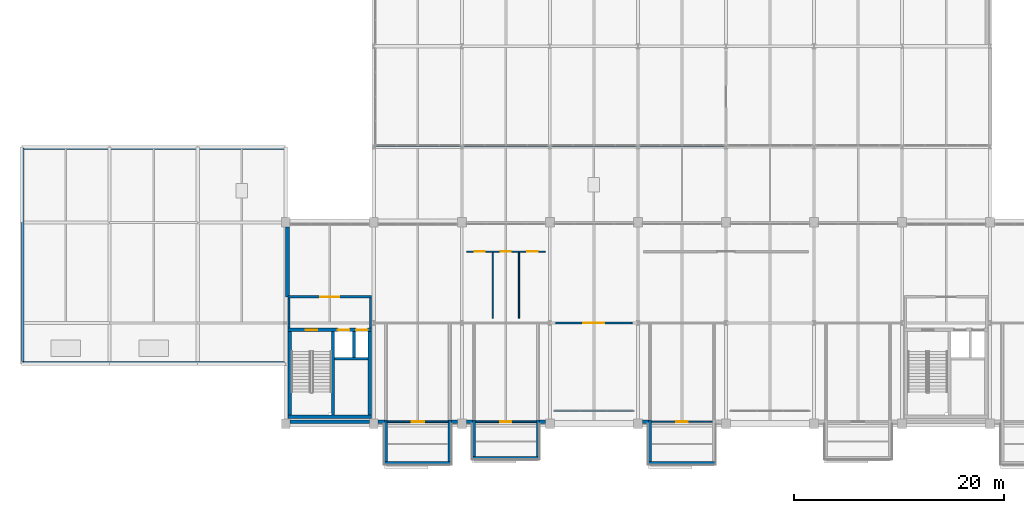
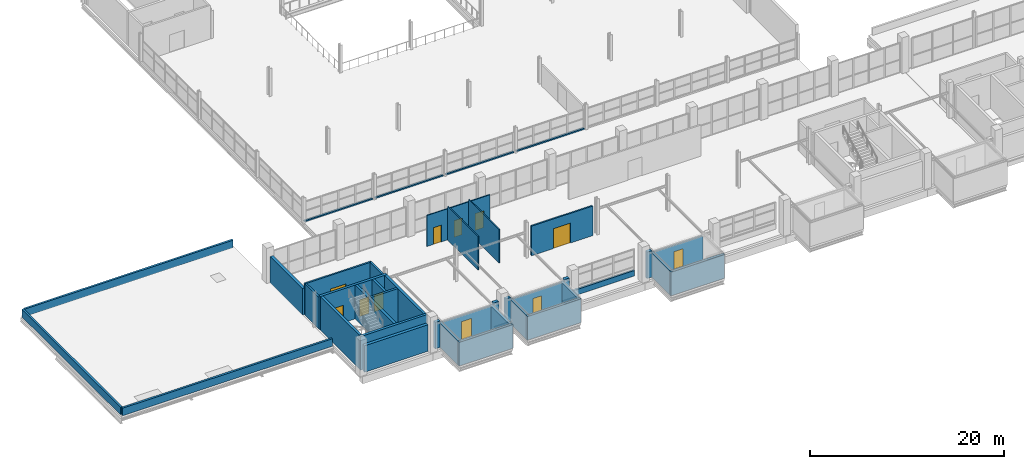
# One storey, part 92 of 103: 40 walls, 11 doors, 11 openings.
"""IFC4 building model written with IfcOpenShell, lengths in metres."""

from ifc_helpers import new_model, si_unit, direction, frame, frame_2d, origin, place, context, subcontext, project, spatial, rectangle, extrude, material, layer, layer_set, type_object, element, fill, save


model = new_model("IFC4")

# Units and contexts
model_context = context("Model", 3, precision=1e-05, world=origin(), true_north=direction((0.0, 1.0)))
body_context = subcontext(model_context, "Body", "Model", "MODEL_VIEW")
ifc_project = project(units=[si_unit("LENGTHUNIT", "METRE"), si_unit("AREAUNIT", "SQUARE_METRE"), si_unit("VOLUMEUNIT", "CUBIC_METRE"), si_unit("PLANEANGLEUNIT", "RADIAN"), si_unit("MASSUNIT", "GRAM", prefix="KILO")], contexts=[model_context])

# Site, building, storey
site_placement = place(None, origin())
site = spatial("IfcSite", under=ifc_project, at=site_placement, CompositionType="ELEMENT")
building_placement = place(site_placement, origin())
building = spatial("IfcBuilding", under=site, at=building_placement, Name="Veltarok Museum of Natural Sciences", CompositionType="ELEMENT")
storey_placement = place(building_placement, frame((0.0, 0.0, 21.89990234375)))
storey = spatial("IfcBuildingStorey", under=building, at=storey_placement, Name="L04", CompositionType="ELEMENT", Elevation=21.89990234375)

# Walls
ifc_material_1 = material(Name="Precast concrete C40/50", Category="concrete")
ifc_layer_1 = layer(ifc_material_1, 0.280029296875)
ifc_layer_set_1 = layer_set([ifc_layer_1], Name="Precast concrete C40/50")
wall_type_1 = type_object("IfcWallType", Name="Cabinet Box Insulated Backup Wall 280", PredefinedType="SOLIDWALL", material=ifc_layer_set_1)
wall_1_placement = place(storey_placement, frame((49.39990234375, -3.260009765625, 0.0), z_axis=(0.0, 0.0, 1.0), x_axis=(1.0, 0.0, 0.0)))
element("IfcWall", 1, at=wall_1_placement, inside=storey, type_object=wall_type_1, Name="Cabinet Box Wall DB-20-S", PredefinedType="SOLIDWALL", context=body_context, shape_type="SweptSolid", body=[
    extrude(rectangle(XDim=6.400146484375, YDim=0.280029296875, at=frame_2d((3.2001953125, 0.0))), origin(), (0.0, 0.0, 1.0), 2.989990234375),
])
for number, where, z_axis, x_axis, name in (
    (2, (49.5400390625, 0.360107421875, 0.0), (0.0, 0.0, 1.0), (0.0, -1.0, 0.0), "Cabinet Box Wall DB-20-W"),
    (3, (55.659912109375, -3.1201171875, 0.0), (0.0, 0.0, 1.0), (0.0, 1.0, 0.0), "Cabinet Box Wall DB-20-E"),
):
    element("IfcWall", number, at=place(storey_placement, frame(where, z_axis=z_axis, x_axis=x_axis)), inside=storey, type_object=wall_type_1, Name=name, PredefinedType="SOLIDWALL", context=body_context, shape_type="SweptSolid", body=[
        extrude(rectangle(XDim=3.480224609375, YDim=0.280029296875, at=frame_2d((1.740234375, 0.0))), origin(), (0.0, 0.0, 1.0), 2.989990234375),
    ])
ifc_layer_2 = layer(ifc_material_1, 0.300048828125)
ifc_layer_set_2 = layer_set([ifc_layer_2], Name="Precast concrete C40/50")
wall_type_2 = type_object("IfcWallType", Name="Deep Cabinet Box Insulated Wall 300", PredefinedType="SOLIDWALL", material=ifc_layer_set_2)
wall_2_placement = place(storey_placement, frame((41.0, -3.75, 0.0), z_axis=(0.0, 0.0, 1.0), x_axis=(1.0, 0.0, 0.0)))
element("IfcWall", 4, at=wall_2_placement, inside=storey, type_object=wall_type_2, Name="Cabinet Box Wall DB-19-S", PredefinedType="SOLIDWALL", context=body_context, shape_type="SweptSolid", body=[
    extrude(rectangle(XDim=6.39990234375, YDim=0.300048828125, at=frame_2d((3.199951171875, 0.0))), origin(), (0.0, 0.0, 1.0), 2.989990234375),
])
for number, where, z_axis, x_axis, name in (
    (5, (41.14990234375, 0.360107421875, 0.0), (0.0, 0.0, 1.0), (0.0, -1.0, 0.0), "Cabinet Box Wall DB-19-W"),
    (6, (47.25, -3.60009765625, 0.0), (0.0, 0.0, 1.0), (0.0, 1.0, 0.0), "Cabinet Box Wall DB-19-E"),
):
    element("IfcWall", number, at=place(storey_placement, frame(where, z_axis=z_axis, x_axis=x_axis)), inside=storey, type_object=wall_type_2, Name=name, PredefinedType="SOLIDWALL", context=body_context, shape_type="SweptSolid", body=[
        extrude(rectangle(XDim=3.960205078125, YDim=0.300048828125, at=frame_2d((1.97998046875, 0.0))), origin(), (0.0, 0.0, 1.0), 2.989990234375),
    ])
wall_3_placement = place(storey_placement, frame((66.199951171875, -3.75, 0.0), z_axis=(0.0, 0.0, 1.0), x_axis=(1.0, 0.0, 0.0)))
element("IfcWall", 7, at=wall_3_placement, inside=storey, type_object=wall_type_2, Name="Cabinet Box Wall DB-21-S", PredefinedType="SOLIDWALL", context=body_context, shape_type="SweptSolid", body=[
    extrude(rectangle(XDim=6.400146484375, YDim=0.300048828125, at=frame_2d((3.2001953125, 0.0))), origin(), (0.0, 0.0, 1.0), 2.989990234375),
])
wall_4_placement = place(storey_placement, frame((66.35009765625, 0.360107421875, 0.0), z_axis=(0.0, 0.0, 1.0), x_axis=(0.0, -1.0, 0.0)))
element("IfcWall", 8, at=wall_4_placement, inside=storey, type_object=wall_type_2, Name="Cabinet Box Wall DB-21-W", PredefinedType="SOLIDWALL", context=body_context, shape_type="SweptSolid", body=[
    extrude(rectangle(XDim=3.960205078125, YDim=0.300048828125, at=frame_2d((1.97998046875, 0.0))), origin(), (0.0, 0.0, 1.0), 2.989990234375),
])

# Wall, opening, door
ifc_material_2 = material(Name="Acoustic gypsum and mineral wool")
ifc_layer_3 = layer(ifc_material_2, 0.179931640625)
ifc_layer_set_3 = layer_set([ifc_layer_3], Name="Acoustic gypsum and mineral wool")
wall_type_3 = type_object("IfcWallType", Name="Exhibition Gallery Partition 180", PredefinedType="PARTITIONING", material=ifc_layer_set_3)
wall_5_placement = place(storey_placement, frame((41.300048828125, 0.179931640625, 0.0), z_axis=(0.0, 0.0, 1.0), x_axis=(1.0, 0.0, 0.0)))
wall_5 = element("IfcWall", 9, at=wall_5_placement, inside=storey, type_object=wall_type_3, Name="Cabinet Threshold Partition DB-19", PredefinedType="PARTITIONING", context=body_context, shape_type="SweptSolid", body=[
    extrude(rectangle(XDim=5.800048828125, YDim=0.179931640625, at=frame_2d((2.89990234375, 0.0))), origin(), (0.0, 0.0, 1.0), 2.989990234375),
])
opening_1_placement = place(wall_5_placement, frame((2.31005859375, 0.0, 0.0)))
opening_1 = element("IfcOpeningElement", 10, at=opening_1_placement, cuts=wall_5, Name="Opening D-L04-090", PredefinedType="OPENING", context=body_context, shape_type="SweptSolid", body=[
    extrude(rectangle(XDim=1.179931640625, YDim=2.25, at=frame_2d((0.58984375, 1.125))), frame((0.0, 0.10009765625, 0.0), z_axis=(0.0, -1.0, 0.0), x_axis=(1.0, 0.0, 0.0)), (0.0, 0.0, 1.0), 0.199951171875),
])
ifc_material_3 = material(Name="Airtight powder-coated steel", Category="steel")
door_type_1 = type_object("IfcDoorType", Name="Large Cabinet Conservation Door 1180x2250", OperationType="NOTDEFINED", PredefinedType="DOOR", material=ifc_material_3)
door_1_placement = place(opening_1_placement, origin())
door_1 = element("IfcDoor", 11, at=door_1_placement, inside=storey, type_object=door_type_1, Name="Cabinet Conservation Door DB-19", OperationType="SINGLE_SWING_RIGHT", OverallHeight=2.25, OverallWidth=1.179931640625, PredefinedType="DOOR", context=body_context, shape_type="SweptSolid", body=[
    extrude(rectangle(XDim=1.179931640625, YDim=2.25, at=frame_2d((0.58984375, 1.125))), frame((0.0, 0.02490234375, 0.0), z_axis=(0.0, -1.0, 0.0), x_axis=(1.0, 0.0, 0.0)), (0.0, 0.0, 1.0), 0.050048828125),
])
fill(opening_1, door_1)

wall_6_placement = place(storey_placement, frame((49.679931640625, 0.179931640625, 0.0), z_axis=(0.0, 0.0, 1.0), x_axis=(1.0, 0.0, 0.0)))
wall_6 = element("IfcWall", 12, at=wall_6_placement, inside=storey, type_object=wall_type_3, Name="Cabinet Threshold Partition DB-20", PredefinedType="PARTITIONING", context=body_context, shape_type="SweptSolid", body=[
    extrude(rectangle(XDim=5.840087890625, YDim=0.179931640625, at=frame_2d((2.919921875, 0.0))), origin(), (0.0, 0.0, 1.0), 2.989990234375),
])
opening_2_placement = place(wall_6_placement, frame((2.39990234375, 0.0, 0.0)))
opening_2 = element("IfcOpeningElement", 13, at=opening_2_placement, cuts=wall_6, Name="Opening D-L04-091", PredefinedType="OPENING", context=body_context, shape_type="SweptSolid", body=[
    extrude(rectangle(XDim=1.0400390625, YDim=2.179931640625, at=frame_2d((0.52001953125, 1.08984375))), frame((0.0, 0.10009765625, 0.0), z_axis=(0.0, -1.0, 0.0), x_axis=(1.0, 0.0, 0.0)), (0.0, 0.0, 1.0), 0.199951171875),
])
door_type_2 = type_object("IfcDoorType", Name="Compact Cabinet Conservation Door 1040x2180", OperationType="NOTDEFINED", PredefinedType="DOOR", material=ifc_material_3)
door_2_placement = place(opening_2_placement, origin())
door_2 = element("IfcDoor", 14, at=door_2_placement, inside=storey, type_object=door_type_2, Name="Cabinet Conservation Door DB-20", OperationType="SINGLE_SWING_LEFT", OverallHeight=2.179931640625, OverallWidth=1.0400390625, PredefinedType="DOOR", context=body_context, shape_type="SweptSolid", body=[
    extrude(rectangle(XDim=1.0400390625, YDim=2.179931640625, at=frame_2d((0.52001953125, 1.08984375))), frame((0.0, 0.02490234375, 0.0), z_axis=(0.0, -1.0, 0.0), x_axis=(1.0, 0.0, 0.0)), (0.0, 0.0, 1.0), 0.050048828125),
])
fill(opening_2, door_2)

wall_7_placement = place(storey_placement, frame((66.5, 0.179931640625, 0.0), z_axis=(0.0, 0.0, 1.0), x_axis=(1.0, 0.0, 0.0)))
wall_7 = element("IfcWall", 15, at=wall_7_placement, inside=storey, type_object=wall_type_3, Name="Cabinet Threshold Partition DB-21", PredefinedType="PARTITIONING", context=body_context, shape_type="SweptSolid", body=[
    extrude(rectangle(XDim=5.800048828125, YDim=0.179931640625, at=frame_2d((2.89990234375, 0.0))), origin(), (0.0, 0.0, 1.0), 2.989990234375),
])
opening_3_placement = place(wall_7_placement, frame((2.35009765625, 0.0, 0.0)))
opening_3 = element("IfcOpeningElement", 16, at=opening_3_placement, cuts=wall_7, Name="Opening D-L04-092", PredefinedType="OPENING", context=body_context, shape_type="SweptSolid", body=[
    extrude(rectangle(XDim=1.10009765625, YDim=2.199951171875, at=frame_2d((0.550048828125, 1.10009765625))), frame((0.0, 0.10009765625, 0.0), z_axis=(0.0, -1.0, 0.0), x_axis=(1.0, 0.0, 0.0)), (0.0, 0.0, 1.0), 0.199951171875),
])
door_type_3 = type_object("IfcDoorType", Name="Cabinet Box Conservation Door 1100x2200", OperationType="NOTDEFINED", PredefinedType="DOOR", material=ifc_material_3)
door_3_placement = place(opening_3_placement, origin())
door_3 = element("IfcDoor", 17, at=door_3_placement, inside=storey, type_object=door_type_3, Name="Cabinet Conservation Door DB-21", OperationType="SINGLE_SWING_RIGHT", OverallHeight=2.199951171875, OverallWidth=1.10009765625, PredefinedType="DOOR", context=body_context, shape_type="SweptSolid", body=[
    extrude(rectangle(XDim=1.10009765625, YDim=2.199951171875, at=frame_2d((0.550048828125, 1.10009765625))), frame((0.0, 0.02490234375, 0.0), z_axis=(0.0, -1.0, 0.0), x_axis=(1.0, 0.0, 0.0)), (0.0, 0.0, 1.0), 0.050048828125),
])
fill(opening_3, door_3)

wall_8_placement = place(storey_placement, frame((57.35009765625, 9.60009765625, 0.0), z_axis=(0.0, 0.0, 1.0), x_axis=(1.0, 0.0, 0.0)))
wall_8 = element("IfcWall", 18, at=wall_8_placement, inside=storey, type_object=wall_type_3, Name="Interior Partition L04-053", PredefinedType="PARTITIONING", context=body_context, shape_type="SweptSolid", body=[
    extrude(rectangle(XDim=7.2998046875, YDim=0.179931640625, at=frame_2d((3.64990234375, 0.0))), origin(), (0.0, 0.0, 1.0), 3.732177734375),
])
opening_4_placement = place(wall_8_placement, frame((2.64990234375, 0.0, 0.0)))
opening_4 = element("IfcOpeningElement", 19, at=opening_4_placement, cuts=wall_8, Name="Opening D-L04-179", PredefinedType="OPENING", context=body_context, shape_type="SweptSolid", body=[
    extrude(rectangle(XDim=2.0, YDim=2.5, at=frame_2d((1.0, 1.25))), frame((0.0, 0.10009765625, 0.0), z_axis=(0.0, -1.0, 0.0), x_axis=(1.0, 0.0, 0.0)), (0.0, 0.0, 1.0), 0.199951171875),
])
ifc_material_4 = material(Name="Solid European oak and acoustic glass", Category="glass")
door_type_4 = type_object("IfcDoorType", Name="Exhibition Hall Double Portal Door 2000x2500", OperationType="NOTDEFINED", PredefinedType="DOOR", material=ifc_material_4)
door_4_placement = place(opening_4_placement, origin())
door_4 = element("IfcDoor", 20, at=door_4_placement, inside=storey, type_object=door_type_4, Name="Interior Door D-L04-179", OperationType="DOUBLE_DOOR_SINGLE_SWING", OverallHeight=2.5, OverallWidth=2.0, PredefinedType="DOOR", context=body_context, shape_type="SweptSolid", body=[
    extrude(rectangle(XDim=2.0, YDim=2.5, at=frame_2d((1.0, 1.25))), frame((0.0, 0.02490234375, 0.0), z_axis=(0.0, -1.0, 0.0), x_axis=(1.0, 0.0, 0.0)), (0.0, 0.0, 1.0), 0.050048828125),
])
fill(opening_4, door_4)

# Walls
ifc_material_5 = material(Name="Concrete C40/50", Category="concrete")
ifc_layer_4 = layer(ifc_material_5, 0.360107421875)
ifc_layer_set_4 = layer_set([ifc_layer_4], Name="Concrete C40/50")
wall_type_4 = type_object("IfcWallType", Name="Exposed Architectural Concrete Facade Wall 360", PredefinedType="SOLIDWALL", material=ifc_layer_set_4)
wall_9_placement = place(storey_placement, frame((32.02490234375, 0.179931640625, 0.0), z_axis=(0.0, 0.0, 1.0), x_axis=(1.0, 0.0, 0.0)))
element("IfcWall", 21, at=wall_9_placement, inside=storey, type_object=wall_type_4, Name="South Core Facade Wall L04 4-5", PredefinedType="SOLIDWALL", context=body_context, shape_type="SweptSolid", body=[
    extrude(rectangle(XDim=7.550048828125, YDim=0.360107421875, at=frame_2d((3.77490234375, 0.0))), origin(), (0.0, 0.0, 1.0), 3.335205078125),
])
wall_10_placement = place(storey_placement, frame((40.425048828125, 0.179931640625, 0.0), z_axis=(0.0, 0.0, 1.0), x_axis=(1.0, 0.0, 0.0)))
element("IfcWall", 22, at=wall_10_placement, inside=storey, type_object=wall_type_4, Name="Cabinet Collar Wall L04 5-6L", PredefinedType="SOLIDWALL", context=body_context, shape_type="SweptSolid", body=[
    extrude(rectangle(XDim=0.574951171875, YDim=0.360107421875, at=frame_2d((0.28759765625, 0.0))), origin(), (0.0, 0.0, 1.0), 3.335205078125),
])
wall_11_placement = place(storey_placement, frame((47.39990234375, 0.179931640625, 0.0), z_axis=(0.0, 0.0, 1.0), x_axis=(1.0, 0.0, 0.0)))
element("IfcWall", 23, at=wall_11_placement, inside=storey, type_object=wall_type_4, Name="Cabinet Collar Wall L04 5-6R", PredefinedType="SOLIDWALL", context=body_context, shape_type="SweptSolid", body=[
    extrude(rectangle(XDim=0.5751953125, YDim=0.360107421875, at=frame_2d((0.28759765625, 0.0))), origin(), (0.0, 0.0, 1.0), 3.335205078125),
])
for number, where, z_axis, x_axis, name in (
    (24, (48.824951171875, 0.179931640625, 0.0), (0.0, 0.0, 1.0), (1.0, 0.0, 0.0), "Cabinet Collar Wall L04 6-7L"),
    (25, (55.800048828125, 0.179931640625, 0.0), (0.0, 0.0, 1.0), (1.0, 0.0, 0.0), "Cabinet Collar Wall L04 6-7R"),
    (26, (65.625, 0.179931640625, 0.0), (0.0, 0.0, 1.0), (1.0, 0.0, 0.0), "Cabinet Collar Wall L04 8-9L"),
):
    element("IfcWall", number, at=place(storey_placement, frame(where, z_axis=z_axis, x_axis=x_axis)), inside=storey, type_object=wall_type_4, Name=name, PredefinedType="SOLIDWALL", context=body_context, shape_type="SweptSolid", body=[
        extrude(rectangle(XDim=0.574951171875, YDim=0.360107421875, at=frame_2d((0.28759765625, 0.0))), origin(), (0.0, 0.0, 1.0), 3.335205078125),
    ])
wall_12_placement = place(storey_placement, frame((31.780029296875, 18.75, 0.0), z_axis=(0.0, 0.0, 1.0), x_axis=(0.0, -1.0, 0.0)))
element("IfcWall", 27, at=wall_12_placement, inside=storey, type_object=wall_type_4, Name="V1 West End Facade Wall L04 4/B-C", PredefinedType="SOLIDWALL", context=body_context, shape_type="SweptSolid", body=[
    extrude(rectangle(XDim=6.64990234375, YDim=0.360107421875, at=frame_2d((3.324951171875, 0.0))), origin(), (0.0, 0.0, 1.0), 3.33203125),
])

# Wall, opening, door
ifc_material_6 = material(Name="Concrete C35/45", Category="concrete")
ifc_layer_5 = layer(ifc_material_6, 0.199951171875)
ifc_layer_set_5 = layer_set([ifc_layer_5], Name="Concrete C35/45")
wall_type_5 = type_object("IfcWallType", Name="Firefighting Lobby Compartment Wall 200", PredefinedType="SOLIDWALL", material=ifc_layer_set_5)
wall_13_placement = place(storey_placement, frame((31.830078125, 12.10009765625, 0.0), z_axis=(0.0, 0.0, 1.0), x_axis=(1.0, 0.0, 0.0)))
wall_13 = element("IfcWall", 28, at=wall_13_placement, inside=storey, type_object=wall_type_5, Name="Firefighting Lobby Wall C1 L04 N", PredefinedType="SOLIDWALL", context=body_context, shape_type="SweptSolid", body=[
    extrude(rectangle(XDim=7.93994140625, YDim=0.199951171875, at=frame_2d((3.969970703125, 0.0))), origin(), (0.0, 0.0, 1.0), 3.902099609375),
])
opening_5_placement = place(wall_13_placement, frame((3.070068359375, 0.0, 0.0)))
opening_5 = element("IfcOpeningElement", 29, at=opening_5_placement, cuts=wall_13, Name="Opening D-L04-058", PredefinedType="OPENING", context=body_context, shape_type="SweptSolid", body=[
    extrude(rectangle(XDim=1.800048828125, YDim=2.199951171875, at=frame_2d((0.89990234375, 1.10009765625))), frame((0.0, 0.10986328125, 0.0), z_axis=(0.0, -1.0, 0.0), x_axis=(1.0, 0.0, 0.0)), (0.0, 0.0, 1.0), 0.219970703125),
])
ifc_material_7 = material(Name="Fire-rated steel and vision glass", Category="steel")
door_type_5 = type_object("IfcDoorType", Name="Fire Lobby Double Door 1800x2200", OperationType="NOTDEFINED", PredefinedType="DOOR", material=ifc_material_7)
door_5_placement = place(opening_5_placement, origin())
door_5 = element("IfcDoor", 30, at=door_5_placement, inside=storey, type_object=door_type_5, Name="Firefighting Lobby Entrance Door C1 L04", OperationType="DOUBLE_DOOR_SINGLE_SWING", OverallHeight=2.199951171875, OverallWidth=1.800048828125, PredefinedType="DOOR", context=body_context, shape_type="SweptSolid", body=[
    extrude(rectangle(XDim=1.800048828125, YDim=2.199951171875, at=frame_2d((0.89990234375, 1.10009765625))), frame((0.0, 0.02490234375, 0.0), z_axis=(0.0, -1.0, 0.0), x_axis=(1.0, 0.0, 0.0)), (0.0, 0.0, 1.0), 0.050048828125),
])
fill(opening_5, door_5)

# Walls
for number, where, z_axis, x_axis, name in (
    (31, (31.929931640625, 9.10009765625, 0.0), (0.0, 0.0, 1.0), (0.0, 1.0, 0.0), "Firefighting Lobby Wall C1 L04 W"),
    (32, (39.669921875, 12.0, 0.0), (0.0, 0.0, 1.0), (0.0, -1.0, 0.0), "Firefighting Lobby Wall C1 L04 E"),
):
    element("IfcWall", number, at=place(storey_placement, frame(where, z_axis=z_axis, x_axis=x_axis)), inside=storey, type_object=wall_type_5, Name=name, PredefinedType="SOLIDWALL", context=body_context, shape_type="SweptSolid", body=[
        extrude(rectangle(XDim=2.89990234375, YDim=0.199951171875, at=frame_2d((1.449951171875, 0.0))), origin(), (0.0, 0.0, 1.0), 3.942138671875),
    ])
ifc_layer_6 = layer(ifc_material_1, 0.239990234375)
ifc_layer_set_6 = layer_set([ifc_layer_6], Name="Precast concrete C40/50")
wall_type_6 = type_object("IfcWallType", Name="Flat Roof Concrete Parapet Wall 240", PredefinedType="PARAPET", material=ifc_layer_set_6)
wall_14_placement = place(storey_placement, frame((6.52001953125, 5.820068359375, 0.0), z_axis=(0.0, 0.0, 1.0), x_axis=(1.0, 0.0, 0.0)))
element("IfcWall", 33, at=wall_14_placement, inside=storey, type_object=wall_type_6, Name="Roof Parapet Wall L04-12", PredefinedType="PARAPET", context=body_context, shape_type="SweptSolid", body=[
    extrude(rectangle(XDim=24.9599609375, YDim=0.239990234375, at=frame_2d((12.47998046875, 0.0))), origin(), (0.0, 0.0, 1.0), 0.9501953125),
])
wall_15_placement = place(storey_placement, frame((6.52001953125, 26.280029296875, 0.0), z_axis=(0.0, 0.0, 1.0), x_axis=(0.0, -1.0, 0.0)))
element("IfcWall", 34, at=wall_15_placement, inside=storey, type_object=wall_type_6, Name="Roof Parapet Wall L04-13", PredefinedType="PARAPET", context=body_context, shape_type="SweptSolid", body=[
    extrude(rectangle(XDim=20.340087890625, YDim=0.239990234375, at=frame_2d((10.169921875, 0.0))), origin(), (0.0, 0.0, 1.0), 0.9501953125),
])
wall_16_placement = place(storey_placement, frame((6.639892578125, 26.280029296875, 0.0), z_axis=(0.0, 0.0, 1.0), x_axis=(1.0, 0.0, 0.0)))
element("IfcWall", 35, at=wall_16_placement, inside=storey, type_object=wall_type_6, Name="Roof Parapet Wall L04-14", PredefinedType="PARAPET", context=body_context, shape_type="SweptSolid", body=[
    extrude(rectangle(XDim=24.840087890625, YDim=0.239990234375, at=frame_2d((12.419921875, 0.0))), origin(), (0.0, 0.0, 1.0), 0.9501953125),
])
ifc_layer_7 = layer(ifc_material_5, 0.25)
ifc_layer_set_7 = layer_set([ifc_layer_7], Name="Concrete C40/50")
wall_type_7 = type_object("IfcWallType", Name="Lift Shaft Concrete Shear Wall 250", PredefinedType="SHEAR", material=ifc_layer_set_7)
wall_17_placement = place(storey_placement, frame((38.114990234375, 6.300048828125, 0.0), z_axis=(0.0, 0.0, 1.0), x_axis=(0.0, 1.0, 0.0)))
element("IfcWall", 36, at=wall_17_placement, inside=storey, type_object=wall_type_7, Name="Lift Shaft Divider Wall C1 L04", PredefinedType="SHEAR", context=body_context, shape_type="SweptSolid", body=[
    extrude(rectangle(XDim=2.5, YDim=0.25, at=frame_2d((1.25, 0.0))), origin(), (0.0, 0.0, 1.0), 4.25),
])
wall_18_placement = place(storey_placement, frame((36.27001953125, 6.175048828125, 0.0), z_axis=(0.0, 0.0, 1.0), x_axis=(1.0, 0.0, 0.0)))
element("IfcWall", 37, at=wall_18_placement, inside=storey, type_object=wall_type_7, Name="Lift Shaft Back Wall C1 L04", PredefinedType="SHEAR", context=body_context, shape_type="SweptSolid", body=[
    extrude(rectangle(XDim=3.199951171875, YDim=0.25, at=frame_2d((1.60009765625, 0.0))), origin(), (0.0, 0.0, 1.0), 4.25),
])
ifc_layer_8 = layer(ifc_material_5, 0.300048828125)
ifc_layer_set_8 = layer_set([ifc_layer_8], Name="Concrete C40/50")
wall_type_8 = type_object("IfcWallType", Name="Protected Core Shear Wall 300", PredefinedType="SHEAR", material=ifc_layer_set_8)
wall_19_placement = place(storey_placement, frame((31.830078125, 0.64990234375, 0.0), z_axis=(0.0, 0.0, 1.0), x_axis=(1.0, 0.0, 0.0)))
element("IfcWall", 38, at=wall_19_placement, inside=storey, type_object=wall_type_8, Name="Core Shear Wall C1 L04 S", PredefinedType="SHEAR", context=body_context, shape_type="SweptSolid", body=[
    extrude(rectangle(XDim=7.93994140625, YDim=0.300048828125, at=frame_2d((3.969970703125, 0.0))), origin(), (0.0, 0.0, 1.0), 4.25),
])

# Wall, openings, doors
wall_20_placement = place(storey_placement, frame((39.77001953125, 8.949951171875, 0.0), z_axis=(0.0, 0.0, 1.0), x_axis=(-1.0, 0.0, 0.0)))
wall_20 = element("IfcWall", 39, at=wall_20_placement, inside=storey, type_object=wall_type_8, Name="Core Shear Wall C1 L04 N", PredefinedType="SHEAR", context=body_context, shape_type="SweptSolid", body=[
    extrude(rectangle(XDim=7.93994140625, YDim=0.300048828125, at=frame_2d((3.969970703125, 0.0))), origin(), (0.0, 0.0, 1.0), 4.25),
])
opening_6_placement = place(wall_20_placement, frame((5.169921875, 0.0, 0.0)))
opening_6 = element("IfcOpeningElement", 40, at=opening_6_placement, cuts=wall_20, Name="Opening D-L04-057", PredefinedType="OPENING", context=body_context, shape_type="SweptSolid", body=[
    extrude(rectangle(XDim=1.10009765625, YDim=2.199951171875, at=frame_2d((0.550048828125, 1.10009765625))), frame((0.0, 0.16015625, 0.0), z_axis=(0.0, -1.0, 0.0), x_axis=(1.0, 0.0, 0.0)), (0.0, 0.0, 1.0), 0.320068359375),
])
opening_7_placement = place(wall_20_placement, frame((2.090087890625, 0.0, 0.0)))
opening_7 = element("IfcOpeningElement", 41, at=opening_7_placement, cuts=wall_20, Name="Opening LD-L04-LP-01", PredefinedType="OPENING", context=body_context, shape_type="SweptSolid", body=[
    extrude(rectangle(XDim=1.10009765625, YDim=2.10009765625, at=frame_2d((0.550048828125, 1.050048828125))), frame((0.0, 0.16015625, 0.0), z_axis=(0.0, -1.0, 0.0), x_axis=(1.0, 0.0, 0.0)), (0.0, 0.0, 1.0), 0.320068359375),
])
opening_8_placement = place(wall_20_placement, frame((0.364990234375, 0.0, 0.0)))
opening_8 = element("IfcOpeningElement", 42, at=opening_8_placement, cuts=wall_20, Name="Opening LD-L04-FL-01", PredefinedType="OPENING", context=body_context, shape_type="SweptSolid", body=[
    extrude(rectangle(XDim=1.10009765625, YDim=2.10009765625, at=frame_2d((0.550048828125, 1.050048828125))), frame((0.0, 0.16015625, 0.0), z_axis=(0.0, -1.0, 0.0), x_axis=(1.0, 0.0, 0.0)), (0.0, 0.0, 1.0), 0.320068359375),
])
ifc_material_8 = material(Name="Fire-rated painted steel", Category="steel")
door_type_6 = type_object("IfcDoorType", Name="Fire Core Single Escape Door 1100x2200", OperationType="NOTDEFINED", PredefinedType="DOOR", material=ifc_material_8)
door_6_placement = place(opening_6_placement, origin())
door_6 = element("IfcDoor", 43, at=door_6_placement, inside=storey, type_object=door_type_6, Name="Protected Stair Door ST-01 L04", OperationType="SINGLE_SWING_LEFT", OverallHeight=2.199951171875, OverallWidth=1.10009765625, PredefinedType="DOOR", context=body_context, shape_type="SweptSolid", body=[
    extrude(rectangle(XDim=1.10009765625, YDim=2.199951171875, at=frame_2d((0.550048828125, 1.10009765625))), frame((0.0, 0.02490234375, 0.0), z_axis=(0.0, -1.0, 0.0), x_axis=(1.0, 0.0, 0.0)), (0.0, 0.0, 1.0), 0.050048828125),
])
fill(opening_6, door_6)
ifc_material_9 = material(Name="Brushed stainless steel", Category="steel")
door_type_7 = type_object("IfcDoorType", Name="Passenger and Firefighting Lift Landing Door 1100x2100", OperationType="SLIDING_TO_LEFT", PredefinedType="DOOR", material=ifc_material_9)
door_7_placement = place(opening_7_placement, origin())
door_7 = element("IfcDoor", 44, at=door_7_placement, inside=storey, type_object=door_type_7, Name="Sliding Lift Landing Door LD-L04-LP-01", OperationType="SLIDING_TO_LEFT", OverallHeight=2.10009765625, OverallWidth=1.10009765625, PredefinedType="DOOR", context=body_context, shape_type="SweptSolid", body=[
    extrude(rectangle(XDim=1.10009765625, YDim=2.10009765625, at=frame_2d((0.550048828125, 1.050048828125))), frame((0.0, 0.02490234375, 0.0), z_axis=(0.0, -1.0, 0.0), x_axis=(1.0, 0.0, 0.0)), (0.0, 0.0, 1.0), 0.050048828125),
])
fill(opening_7, door_7)
door_8_placement = place(opening_8_placement, origin())
door_8 = element("IfcDoor", 45, at=door_8_placement, inside=storey, type_object=door_type_7, Name="Sliding Lift Landing Door LD-L04-FL-01", OperationType="SLIDING_TO_LEFT", OverallHeight=2.10009765625, OverallWidth=1.10009765625, PredefinedType="DOOR", context=body_context, shape_type="SweptSolid", body=[
    extrude(rectangle(XDim=1.10009765625, YDim=2.10009765625, at=frame_2d((0.550048828125, 1.050048828125))), frame((0.0, 0.02490234375, 0.0), z_axis=(0.0, -1.0, 0.0), x_axis=(1.0, 0.0, 0.0)), (0.0, 0.0, 1.0), 0.050048828125),
])
fill(opening_8, door_8)

# Walls
for number, where, z_axis, x_axis, name in (
    (46, (31.97998046875, 8.800048828125, 0.0), (0.0, 0.0, 1.0), (0.0, -1.0, 0.0), "Core Shear Wall C1 L04 W"),
    (47, (39.6201171875, 0.800048828125, 0.0), (0.0, 0.0, 1.0), (0.0, 1.0, 0.0), "Core Shear Wall C1 L04 E"),
    (48, (36.1201171875, 0.800048828125, 0.0), (0.0, 0.0, 1.0), (0.0, 1.0, 0.0), "Core Shear Wall C1 L04 DIV"),
):
    element("IfcWall", number, at=place(storey_placement, frame(where, z_axis=z_axis, x_axis=x_axis)), inside=storey, type_object=wall_type_8, Name=name, PredefinedType="SHEAR", context=body_context, shape_type="SweptSolid", body=[
        extrude(rectangle(XDim=8.0, YDim=0.300048828125, at=frame_2d((4.0, 0.0))), origin(), (0.0, 0.0, 1.0), 4.25),
    ])

# Wall, openings, doors
ifc_layer_9 = layer(ifc_material_2, 0.125)
ifc_layer_set_9 = layer_set([ifc_layer_9], Name="Acoustic gypsum and mineral wool")
wall_type_9 = type_object("IfcWallType", Name="Sanitary Core Moisture-Resistant Partition 125", PredefinedType="PARTITIONING", material=ifc_layer_set_9)
wall_21_placement = place(storey_placement, frame((48.85009765625, 16.39990234375, 0.0), z_axis=(0.0, 0.0, 1.0), x_axis=(1.0, 0.0, 0.0)))
wall_21 = element("IfcWall", 49, at=wall_21_placement, inside=storey, type_object=wall_type_9, Name="Restroom Corridor Wall L04", PredefinedType="PARTITIONING", context=body_context, shape_type="SweptSolid", body=[
    extrude(rectangle(XDim=7.5, YDim=0.125, at=frame_2d((3.75, 0.0))), origin(), (0.0, 0.0, 1.0), 3.902099609375),
])
opening_9_placement = place(wall_21_placement, frame((0.77490234375, 0.0, 0.0)))
opening_9 = element("IfcOpeningElement", 50, at=opening_9_placement, cuts=wall_21, Name="Opening D-L04-121", PredefinedType="OPENING", context=body_context, shape_type="SweptSolid", body=[
    extrude(rectangle(XDim=0.949951171875, YDim=2.10009765625, at=frame_2d((0.47509765625, 1.050048828125))), frame((0.0, 0.072509765625, 0.0), z_axis=(0.0, -1.0, 0.0), x_axis=(1.0, 0.0, 0.0)), (0.0, 0.0, 1.0), 0.14501953125),
])
opening_10_placement = place(wall_21_placement, frame((3.27490234375, 0.0, 0.0)))
opening_10 = element("IfcOpeningElement", 51, at=opening_10_placement, cuts=wall_21, Name="Opening D-L04-122", PredefinedType="OPENING", context=body_context, shape_type="SweptSolid", body=[
    extrude(rectangle(XDim=0.949951171875, YDim=2.10009765625, at=frame_2d((0.47509765625, 1.050048828125))), frame((0.0, 0.072509765625, 0.0), z_axis=(0.0, -1.0, 0.0), x_axis=(1.0, 0.0, 0.0)), (0.0, 0.0, 1.0), 0.14501953125),
])
opening_11_placement = place(wall_21_placement, frame((5.77490234375, 0.0, 0.0)))
opening_11 = element("IfcOpeningElement", 52, at=opening_11_placement, cuts=wall_21, Name="Opening D-L04-123", PredefinedType="OPENING", context=body_context, shape_type="SweptSolid", body=[
    extrude(rectangle(XDim=1.0, YDim=2.1201171875, at=frame_2d((0.5, 1.06005859375))), frame((0.0, 0.072509765625, 0.0), z_axis=(0.0, -1.0, 0.0), x_axis=(1.0, 0.0, 0.0)), (0.0, 0.0, 1.0), 0.14501953125),
])
ifc_material_10 = material(Name="Moisture-resistant HPL")
door_type_8 = type_object("IfcDoorType", Name="Accessible Restroom Wide Door 1000x2120", OperationType="NOTDEFINED", PredefinedType="DOOR", material=ifc_material_10)
door_9_placement = place(opening_11_placement, frame((1.0, 0.0, 0.0), z_axis=(0.0, 0.0, 1.0), x_axis=(-1.0, 0.0, 0.0)))
door_9 = element("IfcDoor", 53, at=door_9_placement, inside=storey, type_object=door_type_8, Name="Restroom Door D-L04-123", OperationType="SINGLE_SWING_LEFT", OverallHeight=2.1201171875, OverallWidth=1.0, PredefinedType="DOOR", context=body_context, shape_type="SweptSolid", body=[
    extrude(rectangle(XDim=1.0, YDim=2.1201171875, at=frame_2d((0.5, 1.06005859375))), frame((0.0, 0.02490234375, 0.0), z_axis=(0.0, -1.0, 0.0), x_axis=(1.0, 0.0, 0.0)), (0.0, 0.0, 1.0), 0.050048828125),
])
fill(opening_11, door_9)
door_type_9 = type_object("IfcDoorType", Name="Accessible Sanitary Room Door 950x2100", OperationType="NOTDEFINED", PredefinedType="DOOR", material=ifc_material_10)
door_10_placement = place(opening_9_placement, frame((0.949951171875, 0.0, 0.0), z_axis=(0.0, 0.0, 1.0), x_axis=(-1.0, 0.0, 0.0)))
door_10 = element("IfcDoor", 54, at=door_10_placement, inside=storey, type_object=door_type_9, Name="Restroom Door D-L04-121", OperationType="SINGLE_SWING_LEFT", OverallHeight=2.10009765625, OverallWidth=0.949951171875, PredefinedType="DOOR", context=body_context, shape_type="SweptSolid", body=[
    extrude(rectangle(XDim=0.949951171875, YDim=2.10009765625, at=frame_2d((0.47509765625, 1.050048828125))), frame((0.0, 0.02490234375, 0.0), z_axis=(0.0, -1.0, 0.0), x_axis=(1.0, 0.0, 0.0)), (0.0, 0.0, 1.0), 0.050048828125),
])
fill(opening_9, door_10)
door_11_placement = place(opening_10_placement, frame((0.949951171875, 0.0, 0.0), z_axis=(0.0, 0.0, 1.0), x_axis=(-1.0, 0.0, 0.0)))
door_11 = element("IfcDoor", 55, at=door_11_placement, inside=storey, type_object=door_type_9, Name="Restroom Door D-L04-122", OperationType="SINGLE_SWING_RIGHT", OverallHeight=2.10009765625, OverallWidth=0.949951171875, PredefinedType="DOOR", context=body_context, shape_type="SweptSolid", body=[
    extrude(rectangle(XDim=0.949951171875, YDim=2.10009765625, at=frame_2d((0.47509765625, 1.050048828125))), frame((0.0, 0.02490234375, 0.0), z_axis=(0.0, -1.0, 0.0), x_axis=(1.0, 0.0, 0.0)), (0.0, 0.0, 1.0), 0.050048828125),
])
fill(opening_10, door_11)

# Walls
for number, where, z_axis, x_axis, name in (
    (56, (51.35009765625, 10.050048828125, 0.0), (0.0, 0.0, 1.0), (0.0, 1.0, 0.0), "Restroom Divider L04-1"),
    (57, (53.85009765625, 10.050048828125, 0.0), (0.0, 0.0, 1.0), (0.0, 1.0, 0.0), "Restroom Divider L04-2"),
):
    element("IfcWall", number, at=place(storey_placement, frame(where, z_axis=z_axis, x_axis=x_axis)), inside=storey, type_object=wall_type_9, Name=name, PredefinedType="PARTITIONING", context=body_context, shape_type="SweptSolid", body=[
        extrude(rectangle(XDim=6.27001953125, YDim=0.125, at=frame_2d((3.135009765625, 0.0))), origin(), (0.0, 0.0, 1.0), 4.22998046875),
    ])
ifc_layer_10 = layer(ifc_material_1, 0.219970703125)
ifc_layer_set_10 = layer_set([ifc_layer_10], Name="Precast concrete C40/50")
wall_type_10 = type_object("IfcWallType", Name="Terrace Upstand Curb Wall 220", PredefinedType="PARAPET", material=ifc_layer_set_10)
wall_22_placement = place(storey_placement, frame((57.22509765625, 1.199951171875, -0.001953125), z_axis=(0.0, 0.0, 1.0), x_axis=(1.0, 0.0, 0.0)))
element("IfcWall", 58, at=wall_22_placement, inside=storey, type_object=wall_type_10, Name="Curtain Wall Sill Upstand CW-0007", PredefinedType="PARAPET", context=body_context, shape_type="SweptSolid", body=[
    extrude(rectangle(XDim=7.5498046875, YDim=0.219970703125, at=frame_2d((3.77490234375, 0.0))), origin(), (0.0, 0.0, 1.0), 0.68603515625),
])
wall_23_placement = place(storey_placement, frame((40.14990234375, 26.550048828125, -0.001953125), z_axis=(0.0, 0.0, 1.0), x_axis=(1.0, 0.0, 0.0)))
element("IfcWall", 59, at=wall_23_placement, inside=storey, type_object=wall_type_10, Name="V2 South Setback Curb CW-0223", PredefinedType="PARAPET", context=body_context, shape_type="SweptSolid", body=[
    extrude(rectangle(XDim=8.10009765625, YDim=0.219970703125, at=frame_2d((4.050048828125, 0.0))), origin(), (0.0, 0.0, 1.0), 0.166015625),
])
wall_24_placement = place(storey_placement, frame((48.550048828125, 26.550048828125, -0.001953125), z_axis=(0.0, 0.0, 1.0), x_axis=(1.0, 0.0, 0.0)))
element("IfcWall", 60, at=wall_24_placement, inside=storey, type_object=wall_type_10, Name="V2 South Setback Curb CW-0224", PredefinedType="PARAPET", context=body_context, shape_type="SweptSolid", body=[
    extrude(rectangle(XDim=8.099853515625, YDim=0.219970703125, at=frame_2d((4.0498046875, 0.0))), origin(), (0.0, 0.0, 1.0), 0.166015625),
])
wall_25_placement = place(storey_placement, frame((56.949951171875, 26.550048828125, -0.001953125), z_axis=(0.0, 0.0, 1.0), x_axis=(1.0, 0.0, 0.0)))
element("IfcWall", 61, at=wall_25_placement, inside=storey, type_object=wall_type_10, Name="V2 South Setback Curb CW-0225", PredefinedType="PARAPET", context=body_context, shape_type="SweptSolid", body=[
    extrude(rectangle(XDim=8.10009765625, YDim=0.219970703125, at=frame_2d((4.050048828125, 0.0))), origin(), (0.0, 0.0, 1.0), 0.166015625),
])
wall_26_placement = place(storey_placement, frame((65.35009765625, 26.550048828125, -0.001953125), z_axis=(0.0, 0.0, 1.0), x_axis=(1.0, 0.0, 0.0)))
element("IfcWall", 62, at=wall_26_placement, inside=storey, type_object=wall_type_10, Name="V2 South Setback Curb CW-0226", PredefinedType="PARAPET", context=body_context, shape_type="SweptSolid", body=[
    extrude(rectangle(XDim=8.099853515625, YDim=0.219970703125, at=frame_2d((4.0498046875, 0.0))), origin(), (0.0, 0.0, 1.0), 0.166015625),
])

save(model, "model.ifc")
